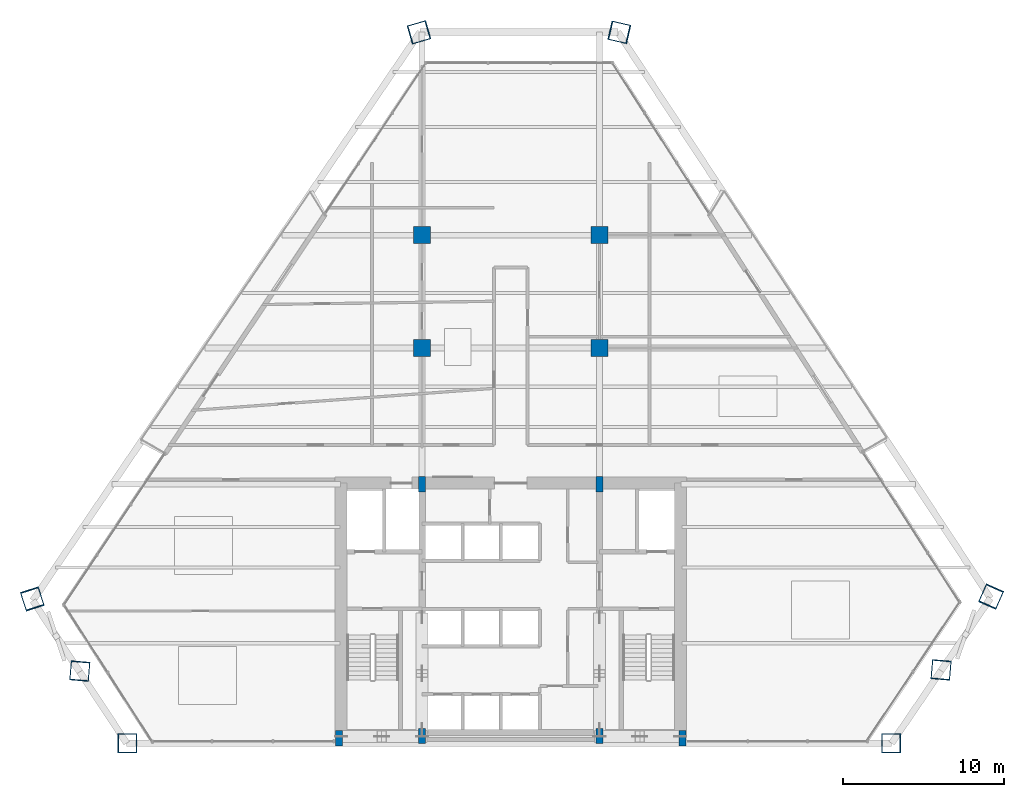
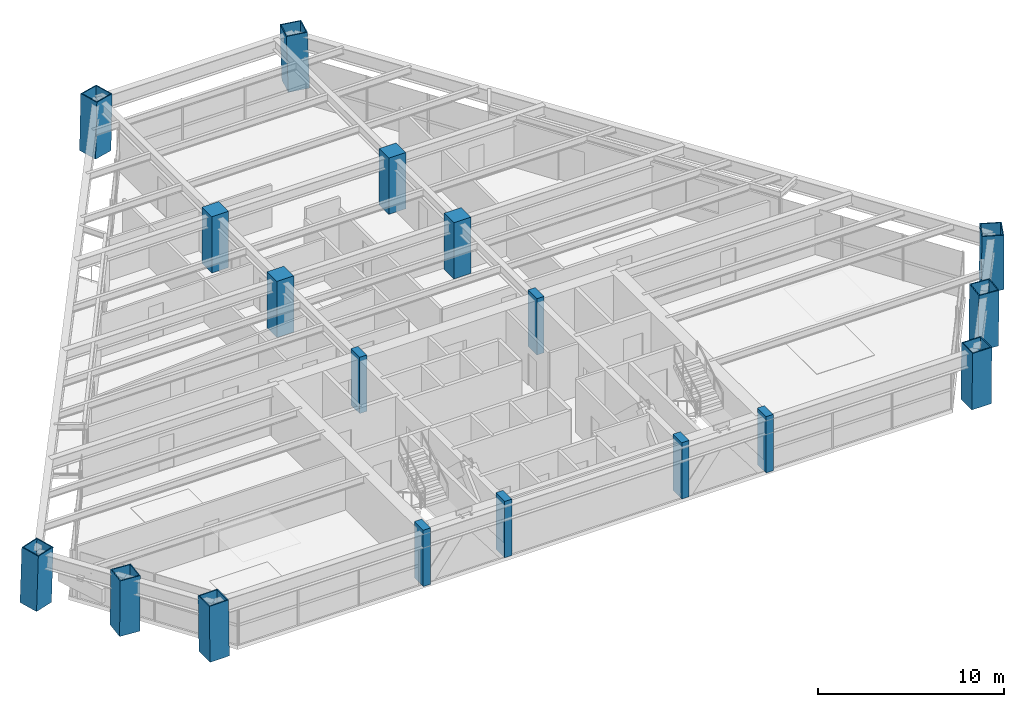
# One storey, part 1 of 14: 18 columns.
"""IFC4 building model written with IfcOpenShell, lengths in metres."""

import ifcopenshell
import ifcopenshell.guid

model = None  # the IFC model being written
_history = None  # IfcOwnerHistory: only IFC2X3 demands one
_inside = {}  # id of a spatial element -> (the spatial element, [elements in it])
_under = {}  # id of a project, library or spatial element -> (it, [spatial elements below it])
_declared = {}  # id of a project -> (the project, [libraries it declares])
_typed = {}  # id of a type object -> (the type object, [elements of that type])
_made_of = {}  # id of a material, layer set ... -> (it, [elements and type objects made of it])


def new_model(schema):
    """Start an empty IFC model of exactly this schema.

    Asked for "IFC4X3", IfcOpenShell would pick the latest addendum, in which some entities
    have other attributes; the version numbers below select the first issue.
    IFC2X3 requires an IfcOwnerHistory on every rooted entity: one is made here for all.
    """
    global model, _history
    if schema == "IFC4X3":
        model = ifcopenshell.file(schema_version=(4, 3, 0, 0))
    else:
        model = ifcopenshell.file(schema=schema)
    _inside.clear()
    _under.clear()
    _declared.clear()
    _typed.clear()
    _made_of.clear()
    _history = None
    if model.schema == "IFC2X3":
        org = make("IfcOrganization", Name="unknown")
        user = make(
            "IfcPersonAndOrganization",
            ThePerson=make("IfcPerson", FamilyName="unknown"),
            TheOrganization=org,
        )
        app = make(
            "IfcApplication",
            ApplicationDeveloper=org,
            Version="unknown",
            ApplicationFullName="unknown",
            ApplicationIdentifier="unknown",
        )
        _history = make(
            "IfcOwnerHistory",
            OwningUser=user,
            OwningApplication=app,
            ChangeAction="ADDED",
            CreationDate=0,
        )
    return model


def make(cls, **values):
    """One entity of the class cls with the attributes given. An attribute that is None is left unset."""
    return model.create_entity(
        cls, **{name: value for name, value in values.items() if value is not None}
    )


def rooted(cls, **values):
    """An entity with a GlobalId (a new one), such as an element, a storey or a relation."""
    return make(cls, GlobalId=ifcopenshell.guid.new(), OwnerHistory=_history, **values)


def si_unit(unit_type, name, prefix=None):
    """IfcSIUnit, for example si_unit("LENGTHUNIT", "METRE", prefix="MILLI")."""
    return make("IfcSIUnit", UnitType=unit_type, Prefix=prefix, Name=name)


def assignment(units):
    """IfcUnitAssignment: the units of a project."""
    return None if units is None else make("IfcUnitAssignment", Units=units)


def point(xyz):
    """IfcCartesianPoint."""
    return None if xyz is None else make("IfcCartesianPoint", Coordinates=xyz)


def direction(xyz):
    """IfcDirection."""
    return None if xyz is None else make("IfcDirection", DirectionRatios=xyz)


def frame(location, z_axis=None, x_axis=None):
    """IfcAxis2Placement3D, a coordinate frame: its origin and axes. An axis left out is left unset."""
    return make(
        "IfcAxis2Placement3D",
        Location=point(location),
        Axis=direction(z_axis),
        RefDirection=direction(x_axis),
    )


def frame_2d(location, x_axis=None):
    """IfcAxis2Placement2D, a coordinate frame in the plane: its origin and x axis."""
    return make(
        "IfcAxis2Placement2D", Location=point(location), RefDirection=direction(x_axis)
    )


def origin():
    """The frame at (0, 0, 0) with its axes left unset."""
    return frame((0.0, 0.0, 0.0))


def origin_2d():
    """The frame at (0, 0) in the plane with its x axis left unset."""
    return frame_2d((0.0, 0.0))


def place(relative_to, where):
    """IfcLocalPlacement: puts the frame where relative to a parent placement (None: the world)."""
    return make(
        "IfcLocalPlacement", PlacementRelTo=relative_to, RelativePlacement=where
    )


def context(
    kind, dimensions, precision=None, world=None, true_north=None, identifier=None
):
    """IfcGeometricRepresentationContext, for example the 3D "Model" context."""
    return make(
        "IfcGeometricRepresentationContext",
        ContextIdentifier=identifier,
        ContextType=kind,
        CoordinateSpaceDimension=dimensions,
        Precision=precision,
        WorldCoordinateSystem=world,
        TrueNorth=true_north,
    )


def subcontext(parent, identifier, kind, view, scale=None):
    """IfcGeometricRepresentationSubContext, for example "Body" below "Model"."""
    return make(
        "IfcGeometricRepresentationSubContext",
        ContextIdentifier=identifier,
        ContextType=kind,
        ParentContext=parent,
        TargetScale=scale,
        TargetView=view,
    )


def project(units=None, contexts=None):
    """IfcProject with its units and contexts."""
    return rooted(
        "IfcProject",
        Name="project",
        RepresentationContexts=contexts,
        UnitsInContext=assignment(units),
    )


def spatial(cls, under=None, at=None, **own):
    """A site, building, storey or space (cls), placed at a placement, below another one or the project."""
    s = rooted(cls, ObjectPlacement=at, **own)
    if under is not None:
        _under.setdefault(under.id(), (under, []))[1].append(s)
    return s


def profile(cls, at=None, kind="AREA", **sizes):
    """A parametric profile (cls). Its sizes go by their IFC names, for example OverallWidth=200.0."""
    return make(cls, ProfileType=kind, Position=at, **sizes)


def rectangle(**sizes):
    """IfcRectangleProfileDef."""
    return profile("IfcRectangleProfileDef", **sizes)


def hollow_rectangle(**sizes):
    """IfcRectangleHollowProfileDef."""
    return profile("IfcRectangleHollowProfileDef", **sizes)


def extrude(swept, where, along, depth):
    """IfcExtrudedAreaSolid: the profile swept, set in the frame where, extruded along a direction by depth."""
    return make(
        "IfcExtrudedAreaSolid",
        SweptArea=swept,
        Position=where,
        ExtrudedDirection=direction(along),
        Depth=depth,
    )


def shape(context_of_items, identifier, shape_type, items):
    """IfcShapeRepresentation: the items that make up one representation, for example the "Body"."""
    return make(
        "IfcShapeRepresentation",
        ContextOfItems=context_of_items,
        RepresentationIdentifier=identifier,
        RepresentationType=shape_type,
        Items=items,
    )


def source(mapping_origin, context_of_items, identifier, shape_type, items):
    """IfcRepresentationMap: a shape defined once, which mapped items show again and again."""
    return make(
        "IfcRepresentationMap",
        MappingOrigin=mapping_origin,
        MappedRepresentation=shape(context_of_items, identifier, shape_type, items),
    )


def transform(
    local_origin,
    x_axis=None,
    y_axis=None,
    z_axis=None,
    scale=None,
    scale2=None,
    scale3=None,
    uniform=True,
):
    """IfcCartesianTransformationOperator3D, or its non-uniform kind. x_axis, y_axis, z_axis: its Axis1, 2, 3."""
    if uniform:
        return make(
            "IfcCartesianTransformationOperator3D",
            Axis1=direction(x_axis),
            Axis2=direction(y_axis),
            LocalOrigin=point(local_origin),
            Scale=scale,
            Axis3=direction(z_axis),
        )
    return make(
        "IfcCartesianTransformationOperator3DnonUniform",
        Axis1=direction(x_axis),
        Axis2=direction(y_axis),
        LocalOrigin=point(local_origin),
        Scale=scale,
        Axis3=direction(z_axis),
        Scale2=scale2,
        Scale3=scale3,
    )


def mapped(mapping_source, mapping_target):
    """IfcMappedItem: shows the shape of a source again, moved by a transform."""
    return make(
        "IfcMappedItem", MappingSource=mapping_source, MappingTarget=mapping_target
    )


def material(Name=None, Category=None):
    """IfcMaterial."""
    return make("IfcMaterial", Name=Name, Category=Category)


def material_profile(
    of_material, cross_section, Name=None, Category=None, Priority=None
):
    """IfcMaterialProfile: a cross section and its material."""
    return make(
        "IfcMaterialProfile",
        Name=Name,
        Material=of_material,
        Profile=cross_section,
        Priority=Priority,
        Category=Category,
    )


def profile_set(profiles, Name=None, composite=None):
    """IfcMaterialProfileSet."""
    return make(
        "IfcMaterialProfileSet",
        Name=Name,
        MaterialProfiles=profiles,
        CompositeProfile=composite,
    )


def made_of(thing, what):
    """Note that an element or type object is made of a material, layer set ...; save() writes the relation."""
    if what is not None:
        _made_of.setdefault(what.id(), (what, []))[1].append(thing)
    return thing


def type_object(cls, material=None, **own):
    """A type object (cls), such as IfcWallType, which elements share."""
    return made_of(rooted(cls, **own), material)


def type_shapes(of_type, sources):
    """Give a type object the sources (RepresentationMaps) that its elements show as mapped items."""
    of_type.RepresentationMaps = sources


def element(
    cls,
    number,
    at=None,
    inside=None,
    cuts=None,
    type_object=None,
    material=None,
    context=None,
    identifier="Body",
    shape_type=None,
    held_by="IfcProductDefinitionShape",
    body=None,
    shapes=None,
    **own,
):
    """One element of the class cls, such as IfcWall. Its Tag is "e" and its number.

    at: its placement. inside: the storey or other place that contains it. cuts: it is an
    opening in that element (IfcRelVoidsElement). A single representation is given by context,
    identifier, shape_type and body (its items); several are given by shapes. held_by: the class
    of the entity that holds the representations. save() writes the other relations.
    """
    e = rooted(cls, Tag="e%d" % number, ObjectPlacement=at, **own)
    if body is not None:
        shapes = [shape(context, identifier, shape_type, body)]
    if shapes is not None:
        e.Representation = make(held_by, Representations=shapes)
    if inside is not None:
        _inside.setdefault(inside.id(), (inside, []))[1].append(e)
    if cuts is not None:
        rooted(
            "IfcRelVoidsElement", RelatingBuildingElement=cuts, RelatedOpeningElement=e
        )
    if type_object is not None:
        _typed.setdefault(type_object.id(), (type_object, []))[1].append(e)
    return made_of(e, material)


def aggregate(whole, parts):
    """IfcRelAggregates: a whole, such as a stair, and the parts it consists of."""
    return rooted("IfcRelAggregates", RelatingObject=whole, RelatedObjects=parts)


def save(model, path):
    """Write the relations noted so far, then the file.

    IfcRelAggregates (storeys below a building ...), IfcRelContainedInSpatialStructure (elements
    in a storey), IfcRelDefinesByType, IfcRelAssociatesMaterial and IfcRelDeclares: one each for
    every whole, place, type object, material and project.
    """
    for whole, parts in _under.values():
        aggregate(whole, parts)
    for where, things in _inside.values():
        rooted(
            "IfcRelContainedInSpatialStructure",
            RelatedElements=things,
            RelatingStructure=where,
        )
    for kind, things in _typed.values():
        rooted("IfcRelDefinesByType", RelatedObjects=things, RelatingType=kind)
    for what, things in _made_of.values():
        rooted("IfcRelAssociatesMaterial", RelatedObjects=things, RelatingMaterial=what)
    for by, libraries in _declared.values():
        rooted("IfcRelDeclares", RelatingContext=by, RelatedDefinitions=libraries)
    model.write(path)


model = new_model("IFC4")

# Units and contexts
model_context = context("Model", 3, precision=1e-05, world=origin(), true_north=direction((0.0, 1.0)))
body_context = subcontext(model_context, "Body", "Model", "MODEL_VIEW")
ifc_project = project(units=[si_unit("LENGTHUNIT", "METRE"), si_unit("AREAUNIT", "SQUARE_METRE"), si_unit("VOLUMEUNIT", "CUBIC_METRE"), si_unit("PLANEANGLEUNIT", "RADIAN"), si_unit("MASSUNIT", "GRAM", prefix="KILO")], contexts=[model_context])

# Site, building, storey
site_placement = place(None, origin())
site = spatial("IfcSite", under=ifc_project, at=site_placement, CompositionType="ELEMENT")
building_placement = place(site_placement, origin())
building = spatial("IfcBuilding", under=site, at=building_placement, Name="Varnakhor Terracotta Tower", CompositionType="ELEMENT")
storey_placement = place(building_placement, frame((0.0, 0.0, 106.199951171875)))
storey = spatial("IfcBuildingStorey", under=building, at=storey_placement, Name="L26", CompositionType="ELEMENT", Elevation=106.199951171875)

# Columns
ifc_material_1 = material(Name="Concrete C50/60", Category="concrete")
ifc_material_profile_1 = material_profile(ifc_material_1, rectangle(XDim=0.449951171875, YDim=0.949951171875, at=origin_2d()), Name="RC PILASTER 950x450")
ifc_profile_set_1 = profile_set([ifc_material_profile_1], Name="Concrete C50/60")
column_type_1 = type_object("IfcColumnType", Name="COL-PIL-950x450", PredefinedType="PILASTER", material=ifc_profile_set_1)
shared_shape_1 = source(origin(), body_context, "Body", "SweptSolid", [
    extrude(rectangle(XDim=0.449951171875, YDim=0.949951171875, at=origin_2d()), origin(), (0.0, 0.0, 1.0), 3.699951171875),
])
for number, where, z_axis, x_axis, name in (
    (1, (-10.64990234375, 0.300048828125, 0.0), (0.0, 0.0, 1.0), (1.0, 0.0, 0.0), "L26 Core Pilaster CP1"),
    (2, (-5.5, 0.449951171875, 0.0), (0.0, 0.0, 1.0), (1.0, 0.0, 0.0), "L26 Core Pilaster CP2"),
    (3, (5.5, 0.449951171875, 0.0), (0.0, 0.0, 1.0), (1.0, 0.0, 0.0), "L26 Core Pilaster CP3"),
    (4, (10.64990234375, 0.300048828125, 0.0), (0.0, 0.0, 1.0), (1.0, 0.0, 0.0), "L26 Core Pilaster CP4"),
    (5, (-5.5, 16.050048828125, 0.0), (0.0, 0.0, 1.0), (1.0, 0.0, 0.0), "L26 Core Pilaster CP5"),
    (6, (5.5, 16.050048828125, 0.0), (0.0, 0.0, 1.0), (1.0, 0.0, 0.0), "L26 Core Pilaster CP6"),
):
    element("IfcColumn", number, at=place(storey_placement, frame(where, z_axis=z_axis, x_axis=x_axis)), inside=storey, type_object=column_type_1, Name=name, PredefinedType="PILASTER", context=body_context, shape_type="MappedRepresentation", body=[
        mapped(shared_shape_1, transform((0.0, 0.0, 0.0), scale=1.0)),
    ])
ifc_material_2 = material(Name="Concrete C60/75", Category="concrete")
ifc_material_profile_2 = material_profile(ifc_material_2, rectangle(XDim=1.050048828125, YDim=1.050048828125, at=origin_2d()), Name="RC 1050x1050")
ifc_profile_set_2 = profile_set([ifc_material_profile_2], Name="Concrete C60/75")
column_type_2 = type_object("IfcColumnType", Name="COL-RC-1050", PredefinedType="COLUMN", material=ifc_profile_set_2)
shared_shape_2 = source(origin(), body_context, "Body", "SweptSolid", [
    extrude(rectangle(XDim=1.050048828125, YDim=1.050048828125, at=origin_2d()), origin(), (0.0, 0.0, 1.0), 3.699951171875),
])
for number, where, z_axis, x_axis, name in (
    (7, (-5.5, 24.5, 0.0), (0.0, 0.0, 1.0), (1.0, 0.0, 0.0), "L26 Interior Tower Column IC1"),
    (8, (5.5, 24.5, 0.0), (0.0, 0.0, 1.0), (1.0, 0.0, 0.0), "L26 Interior Tower Column IC2"),
    (9, (-5.5, 31.5, 0.0), (0.0, 0.0, 1.0), (1.0, 0.0, 0.0), "L26 Interior Tower Column IC3"),
    (10, (5.5, 31.5, 0.0), (0.0, 0.0, 1.0), (1.0, 0.0, 0.0), "L26 Interior Tower Column IC4"),
):
    element("IfcColumn", number, at=place(storey_placement, frame(where, z_axis=z_axis, x_axis=x_axis)), inside=storey, type_object=column_type_2, Name=name, PredefinedType="COLUMN", context=body_context, shape_type="MappedRepresentation", body=[
        mapped(shared_shape_2, transform((0.0, 0.0, 0.0), scale=1.0)),
    ])
ifc_material_3 = material(Name="Steel S460", Category="steel")
ifc_material_profile_3 = material_profile(ifc_material_3, hollow_rectangle(XDim=1.199951171875, YDim=1.199951171875, WallThickness=0.06005859375, at=origin_2d()), Name="BOX 1200x1200x60")
ifc_profile_set_3 = profile_set([ifc_material_profile_3], Name="Steel S460")
column_type_3 = type_object("IfcColumnType", Name="COL-MEGA-1200", PredefinedType="COLUMN", material=ifc_profile_set_3)
shared_shape_3 = source(origin(), body_context, "Body", "SweptSolid", [
    extrude(hollow_rectangle(XDim=1.199951171875, YDim=1.199951171875, WallThickness=0.06005859375, at=origin_2d()), origin(), (0.0, 0.0, 1.0), 3.691650390625),
])
type_shapes(column_type_3, [shared_shape_3])
for number, where, z_axis, x_axis, name in (
    (11, (26.67724609375, 4.5546875, 0.00439453125), (-0.001388804445, -0.015872050795, 0.999873066557), (0.996193717496, -0.087166950281, 0.0), "L26 Perimeter Mega-Column M3"),
    (12, (-26.715576171875, 4.482421875, 0.00439453125), (-0.001388786514, -0.016665438169, 0.999860157443), (0.996545758245, -0.083045479854, 0.0), "L26 Perimeter Mega-Column M8"),
):
    element("IfcColumn", number, at=place(storey_placement, frame(where, z_axis=z_axis, x_axis=x_axis)), inside=storey, type_object=column_type_3, Name=name, PredefinedType="COLUMN", context=body_context, shape_type="MappedRepresentation", body=[
        mapped(shared_shape_3, transform((0.0, 0.0, 0.0), scale=1.0)),
    ])
shared_shape_4 = source(origin(), body_context, "Body", "SweptSolid", [
    extrude(hollow_rectangle(XDim=1.199951171875, YDim=1.199951171875, WallThickness=0.06005859375, at=origin_2d()), origin(), (0.0, 0.0, 1.0), 3.69140625),
])
for number, where, z_axis, x_axis, name in (
    (13, (-23.76171875, 0.0, 0.00439453125), (-0.013425603818, 0.0, 0.99990987252), (0.0, -1.0, 0.0), "L26 Perimeter Mega-Column M1"),
    (14, (23.56787109375, 0.0, 0.00439453125), (0.01124341917, 0.0, 0.999936790765), (0.0, 1.0, 0.0), "L26 Perimeter Mega-Column M2"),
):
    element("IfcColumn", number, at=place(storey_placement, frame(where, z_axis=z_axis, x_axis=x_axis)), inside=storey, type_object=column_type_3, Name=name, PredefinedType="COLUMN", context=body_context, shape_type="MappedRepresentation", body=[
        mapped(shared_shape_4, transform((0.0, 0.0, 0.0), scale=1.0)),
    ])
shared_shape_5 = source(origin(), body_context, "Body", "SweptSolid", [
    extrude(hollow_rectangle(XDim=1.199951171875, YDim=1.199951171875, WallThickness=0.06005859375, at=origin_2d()), origin(), (0.0, 0.0, 1.0), 3.693359375),
])
for number, where, z_axis, x_axis, name in (
    (15, (29.78662109375, 9.109130859375, 0.00439453125), (-0.013947622918, -0.031596984621, 0.999403369205), (0.914834630241, -0.403828675692, 0.0), "L26 Perimeter Mega-Column M4"),
    (16, (-29.669677734375, 8.96484375, 0.00439453125), (0.010774501779, -0.033381125144, 0.999384615949), (0.951655319751, 0.307167954692, 0.0), "L26 Perimeter Mega-Column M7"),
):
    element("IfcColumn", number, at=place(storey_placement, frame(where, z_axis=z_axis, x_axis=x_axis)), inside=storey, type_object=column_type_3, Name=name, PredefinedType="COLUMN", context=body_context, shape_type="MappedRepresentation", body=[
        mapped(shared_shape_5, transform((0.0, 0.0, 0.0), scale=1.0)),
    ])
shared_shape_6 = source(origin(), body_context, "Body", "SweptSolid", [
    extrude(hollow_rectangle(XDim=1.199951171875, YDim=1.199951171875, WallThickness=0.06005859375, at=origin_2d()), origin(), (0.0, 0.0, 1.0), 3.6923828125),
])
column_1_placement = place(storey_placement, frame((-5.705078125, 44.0673828125, 0.00439453125), z_axis=(0.024266347785, 0.007008808897, 0.999680959588), x_axis=(-0.277485960207, 0.960729692415, 0.0)))
element("IfcColumn", 17, at=column_1_placement, inside=storey, type_object=column_type_3, Name="L26 Perimeter Mega-Column M6", PredefinedType="COLUMN", context=body_context, shape_type="MappedRepresentation", body=[
    mapped(shared_shape_6, transform((0.0, 0.0, 0.0), scale=1.0)),
])
shared_shape_7 = source(origin(), body_context, "Body", "SweptSolid", [
    extrude(hollow_rectangle(XDim=1.199951171875, YDim=1.199951171875, WallThickness=0.06005859375, at=origin_2d()), origin(), (0.0, 0.0, 1.0), 3.69287109375),
])
column_2_placement = place(storey_placement, frame((6.748291015625, 44.0673828125, 0.00439453125), z_axis=(-0.030410473415, 0.00700763083, 0.99951292949), x_axis=(-0.224550066607, -0.974462553199, 0.0)))
element("IfcColumn", 18, at=column_2_placement, inside=storey, type_object=column_type_3, Name="L26 Perimeter Mega-Column M5", PredefinedType="COLUMN", context=body_context, shape_type="MappedRepresentation", body=[
    mapped(shared_shape_7, transform((0.0, 0.0, 0.0), scale=1.0)),
])

save(model, "model.ifc")
